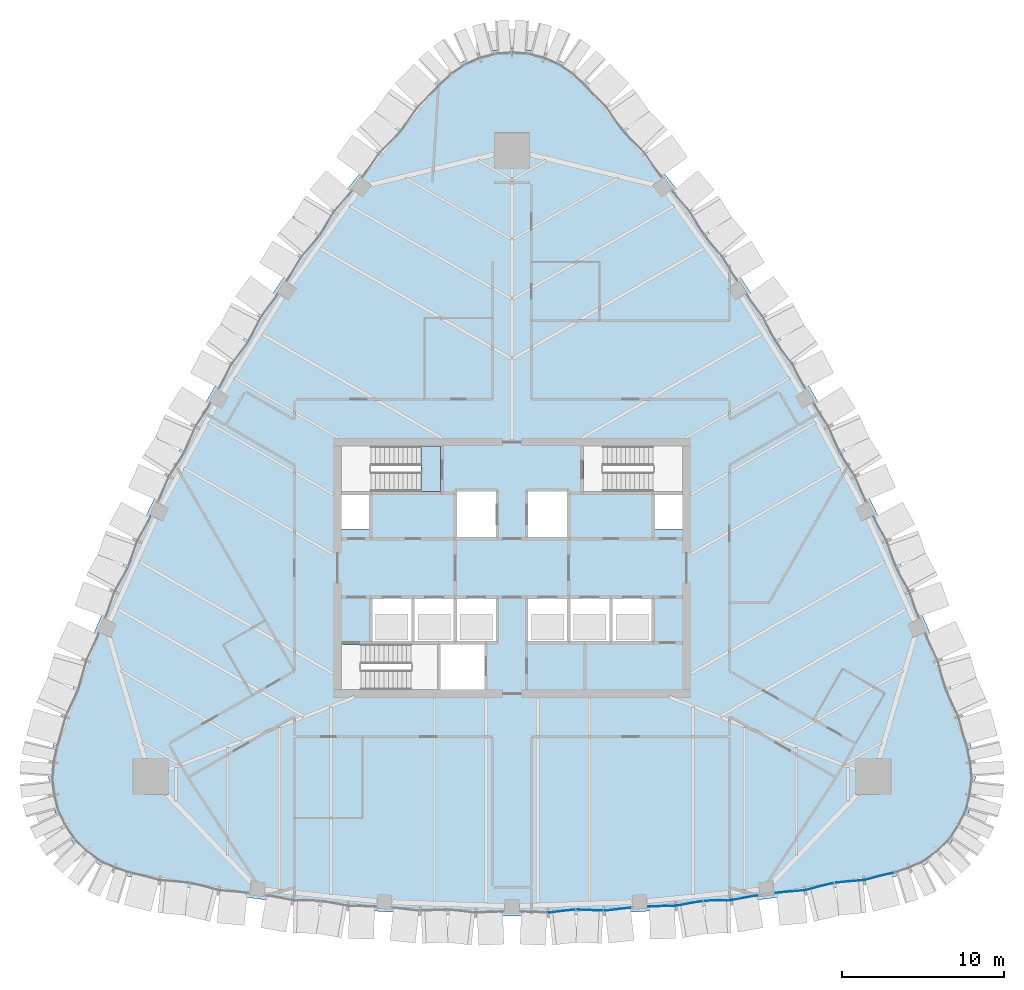
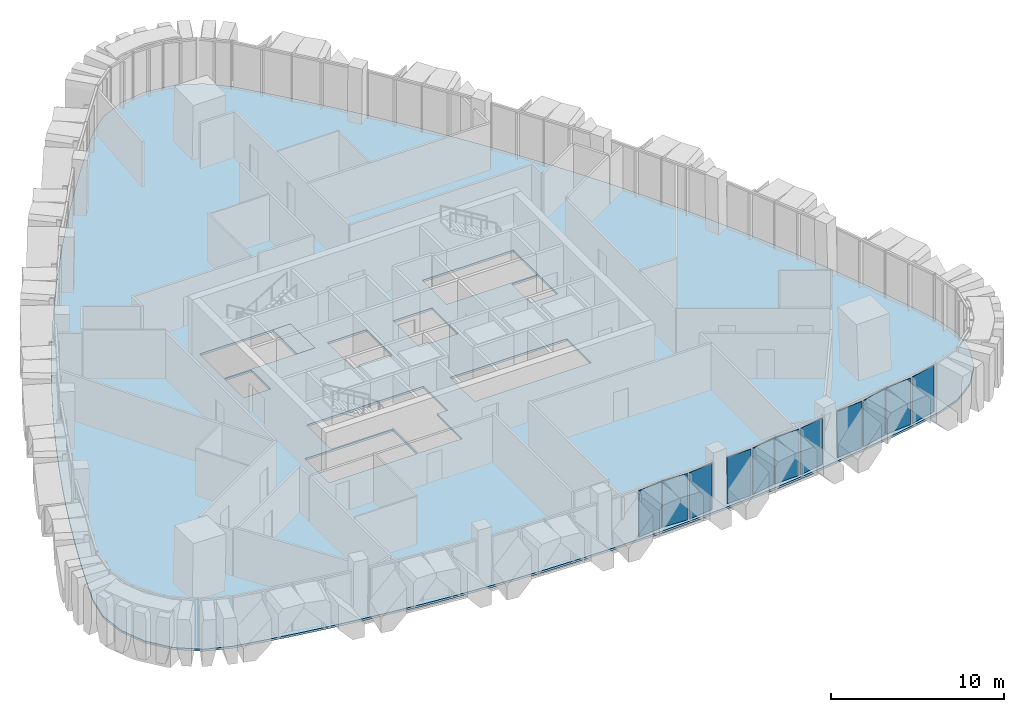
# One storey, part 9 of 19: 11 plates, 2 slabs, 3 elements without a shape of their own.
"""IFC4 building model written with IfcOpenShell, lengths in metres."""

from ifc_helpers import new_model, si_unit, direction, frame, origin, place, context, subcontext, project, spatial, polyline, outline, extrude, material, layer, layer_set, type_object, element, aggregate, save


model = new_model("IFC4")

# Units and contexts
model_context = context("Model", 3, precision=1e-05, world=origin(), true_north=direction((0.0, 1.0)))
body_context = subcontext(model_context, "Body", "Model", "MODEL_VIEW")
ifc_project = project(units=[si_unit("LENGTHUNIT", "METRE"), si_unit("AREAUNIT", "SQUARE_METRE"), si_unit("VOLUMEUNIT", "CUBIC_METRE"), si_unit("PLANEANGLEUNIT", "RADIAN"), si_unit("MASSUNIT", "GRAM", prefix="KILO")], contexts=[model_context])

# Site, building, storey
site_placement = place(None, origin())
site = spatial("IfcSite", under=ifc_project, at=site_placement, CompositionType="ELEMENT")
building_placement = place(site_placement, origin())
building = spatial("IfcBuilding", under=site, at=building_placement, Name="Sierra Prisma Convention Tower", CompositionType="ELEMENT")
storey_placement = place(building_placement, frame((0.0, 0.0, 231.0)))
storey = spatial("IfcBuildingStorey", under=building, at=storey_placement, Name="L51", CompositionType="ELEMENT", Elevation=231.0)

# Curtain wall, plates
ifc_material_1 = material(Name="Aluminium and glass curtain wall", Category="aluminium")
ifc_layer_1 = layer(ifc_material_1, 0.179931640625)
ifc_layer_set_1 = layer_set([ifc_layer_1], Name="CW-2 Faceted crystal curtain wall")
curtain_wall_type = type_object("IfcCurtainWallType", Name="CW-2 Faceted crystal curtain wall", PredefinedType="NOTDEFINED", material=ifc_layer_set_1)
curtain_wall_1_placement = place(storey_placement, origin())
curtain_wall_1 = element("IfcCurtainWall", 1, at=curtain_wall_1_placement, inside=storey, type_object=curtain_wall_type, Name="CW-2 S4 L51", PredefinedType="NOTDEFINED")
ifc_material_2 = material(Name="Tinted glass bronze-grey IGU", Category="glass")
ifc_layer_2 = layer(ifc_material_2, 0.028076171875)
ifc_layer_set_2 = layer_set([ifc_layer_2], Name="CW-2 crystal pane")
plate_type = type_object("IfcPlateType", Name="CW-2 crystal pane", PredefinedType="CURTAIN_PANEL", material=ifc_layer_set_2)
plate_1_placement = place(storey_placement, frame((3.90283203125, -21.059814453125, 0.0), z_axis=(0.112450015311, -0.993657382631, 0.0), x_axis=(-0.993657382631, -0.112450015311, 0.0)))
plate_1 = element("IfcPlate", 2, at=plate_1_placement, type_object=plate_type, Name="CW-2 pane S4.1.2", PredefinedType="CURTAIN_PANEL", context=body_context, shape_type="SweptSolid", body=[
    extrude(outline(polyline([(0.0, 0.0), (1.632669853294698, 0.0), (1.632669853294698, -3.280029296875), (0.0, -3.280029296875), (0.0, 0.0)])), origin(), (0.0, 0.0, -1.0), 0.028076171875),
])
plate_2_placement = place(storey_placement, frame((3.972900390625, -21.057373046875, 0.0), z_axis=(-0.044559796774, -0.999006718952, 0.0), x_axis=(0.999006718952, -0.044559796774, 0.0)))
plate_2 = element("IfcPlate", 3, at=plate_2_placement, type_object=plate_type, Name="CW-2 pane S4.2.1", PredefinedType="CURTAIN_PANEL", context=body_context, shape_type="SweptSolid", body=[
    extrude(outline(polyline([(0.0, 0.0), (1.6327252706927975, 0.0), (1.6327252706927975, 3.280029296875), (0.0, 3.280029296875), (0.0, 0.0)])), origin(), (0.0, 0.0, -1.0), 0.028076171875),
])
plate_3_placement = place(storey_placement, frame((7.35595703125, -20.942138671875, 0.0), z_axis=(0.112450015311, -0.993657382631, 0.0), x_axis=(-0.993657382631, -0.112450015311, 0.0)))
plate_3 = element("IfcPlate", 4, at=plate_3_placement, type_object=plate_type, Name="CW-2 pane S4.2.2", PredefinedType="CURTAIN_PANEL", context=body_context, shape_type="SweptSolid", body=[
    extrude(outline(polyline([(0.0, 0.0), (1.632669853294698, 0.0), (1.632669853294698, -3.280029296875), (0.0, -3.280029296875), (0.0, 0.0)])), origin(), (0.0, 0.0, -1.0), 0.028076171875),
])
aggregate(curtain_wall_1, [plate_1, plate_2, plate_3])

curtain_wall_2_placement = place(storey_placement, origin())
curtain_wall_2 = element("IfcCurtainWall", 5, at=curtain_wall_2_placement, inside=storey, type_object=curtain_wall_type, Name="CW-2 S5 L51", PredefinedType="NOTDEFINED")
plate_4_placement = place(storey_placement, frame((8.4052734375, -20.870849609375, 0.0), z_axis=(0.023591808643, -0.99972167455, 0.0), x_axis=(0.99972167455, 0.023591808643, 0.0)))
plate_4 = element("IfcPlate", 6, at=plate_4_placement, type_object=plate_type, Name="CW-2 pane S5.1.1", PredefinedType="CURTAIN_PANEL", context=body_context, shape_type="SweptSolid", body=[
    extrude(outline(polyline([(0.0, 0.0), (1.6247197789887098, 0.0), (1.6247197789887098, 3.280029296875), (0.0, 3.280029296875), (0.0, 0.0)])), origin(), (0.0, 0.0, -1.0), 0.028076171875),
])
plate_5_placement = place(storey_placement, frame((11.7568359375, -20.527099609375, 0.0), z_axis=(0.179850565175, -0.983693943361, 0.0), x_axis=(-0.983693943361, -0.179850565175, 0.0)))
plate_5 = element("IfcPlate", 7, at=plate_5_placement, type_object=plate_type, Name="CW-2 pane S5.1.2", PredefinedType="CURTAIN_PANEL", context=body_context, shape_type="SweptSolid", body=[
    extrude(outline(polyline([(0.0, 0.0), (1.6248841244391272, 0.0), (1.6248841244391272, -3.280029296875), (0.0, -3.280029296875), (0.0, 0.0)])), origin(), (0.0, 0.0, -1.0), 0.028076171875),
])
plate_6_placement = place(storey_placement, frame((11.826416015625, -20.52001953125, 0.0), z_axis=(0.023738424439, -0.999718203898, 0.0), x_axis=(0.999718203898, 0.023738424439, 0.0)))
plate_6 = element("IfcPlate", 8, at=plate_6_placement, type_object=plate_type, Name="CW-2 pane S5.2.1", PredefinedType="CURTAIN_PANEL", context=body_context, shape_type="SweptSolid", body=[
    extrude(outline(polyline([(0.0, 0.0), (1.6249696288571833, 0.0), (1.6249696288571833, 3.280029296875), (0.0, 3.280029296875), (0.0, 0.0)])), origin(), (0.0, 0.0, -1.0), 0.028076171875),
])
plate_7_placement = place(storey_placement, frame((15.17822265625, -20.17626953125, 0.0), z_axis=(0.179705168241, -0.983720515445, 0.0), x_axis=(-0.983720515445, -0.179705168241, 0.0)))
plate_7 = element("IfcPlate", 9, at=plate_7_placement, type_object=plate_type, Name="CW-2 pane S5.2.2", PredefinedType="CURTAIN_PANEL", context=body_context, shape_type="SweptSolid", body=[
    extrude(outline(polyline([(0.0, 0.0), (1.6248402333581484, 0.0), (1.6248402333581484, -3.280029296875001), (0.0, -3.280029296875001), (0.0, 0.0)])), origin(), (0.0, 0.0, -1.0), 0.028076171875),
])
aggregate(curtain_wall_2, [plate_4, plate_5, plate_6, plate_7])

curtain_wall_3_placement = place(storey_placement, origin())
curtain_wall_3 = element("IfcCurtainWall", 10, at=curtain_wall_3_placement, inside=storey, type_object=curtain_wall_type, Name="CW-2 S6 L51", PredefinedType="NOTDEFINED")
plate_8_placement = place(storey_placement, frame((16.251953125, -20.030517578125, 0.0), z_axis=(0.091731622897, -0.995783766367, 0.0), x_axis=(0.995783766367, 0.091731622897, 0.0)))
plate_8 = element("IfcPlate", 11, at=plate_8_placement, type_object=plate_type, Name="CW-2 pane S6.1.1", PredefinedType="CURTAIN_PANEL", context=body_context, shape_type="SweptSolid", body=[
    extrude(outline(polyline([(0.0, 0.0), (1.748583373529064, 0.0), (1.748583373529064, 3.280029296875), (0.0, 3.280029296875), (0.0, 0.0)])), origin(), (0.0, 0.0, -1.0), 0.028076171875),
])
plate_9_placement = place(storey_placement, frame((19.81591796875, -19.41748046875, 0.0), z_axis=(0.246245432536, -0.969207504591, 0.0), x_axis=(-0.969207504591, -0.246245432536, 0.0)))
plate_9 = element("IfcPlate", 12, at=plate_9_placement, type_object=plate_type, Name="CW-2 pane S6.1.2", PredefinedType="CURTAIN_PANEL", context=body_context, shape_type="SweptSolid", body=[
    extrude(outline(polyline([(0.0, 0.0), (1.7489220330487172, 0.0), (1.7489220330487172, -3.280029296875001), (0.0, -3.280029296875001), (0.0, 0.0)])), origin(), (0.0, 0.0, -1.0), 0.028076171875),
])
plate_10_placement = place(storey_placement, frame((19.884765625, -19.405517578125, 0.0), z_axis=(0.091718870915, -0.995784940998, 0.0), x_axis=(0.995784940998, 0.091718870915, 0.0)))
plate_10 = element("IfcPlate", 13, at=plate_10_placement, type_object=plate_type, Name="CW-2 pane S6.2.1", PredefinedType="CURTAIN_PANEL", context=body_context, shape_type="SweptSolid", body=[
    extrude(outline(polyline([(0.0, 0.0), (1.748826484943547, 0.0), (1.748826484943547, 3.280029296875), (0.0, 3.280029296875), (0.0, 0.0)])), origin(), (0.0, 0.0, -1.0), 0.028076171875),
])
plate_11_placement = place(storey_placement, frame((23.44873046875, -18.79248046875, 0.0), z_axis=(0.246278753029, -0.969199038282, 0.0), x_axis=(-0.969199038282, -0.246278753029, 0.0)))
plate_11 = element("IfcPlate", 14, at=plate_11_placement, type_object=plate_type, Name="CW-2 pane S6.2.2", PredefinedType="CURTAIN_PANEL", context=body_context, shape_type="SweptSolid", body=[
    extrude(outline(polyline([(0.0, 0.0), (1.7486854111562067, 0.0), (1.7486854111562067, -3.280029296875), (0.0, -3.280029296875), (0.0, 0.0)])), origin(), (0.0, 0.0, -1.0), 0.028076171875),
])
aggregate(curtain_wall_3, [plate_8, plate_9, plate_10, plate_11])

# Slabs
ifc_material_3 = material(Name="Concrete C35/45", Category="concrete")
ifc_layer_3 = layer(ifc_material_3, 0.14990234375)
ifc_layer_set_3 = layer_set([ifc_layer_3], Name="Composite floor slab 150")
slab_type_1 = type_object("IfcSlabType", Name="Composite floor slab 150", PredefinedType="FLOOR", material=ifc_layer_set_3)
slab_1_placement = place(storey_placement, frame((0.0, 0.0, -0.14990234375)))
element("IfcSlab", 15, at=slab_1_placement, inside=storey, type_object=slab_type_1, Name="Floor slab L51 floor", PredefinedType="FLOOR", context=body_context, shape_type="SweptSolid", body=[
    extrude(outline(polyline([(-23.568603515625, -19.025390625), (-21.628662109375, -19.410400390625), (-19.682373046875, -19.76220703125), (-17.73046875, -20.0810546875), (-15.7734375, -20.3662109375), (-13.811767578125, -20.618408203125), (-11.84619140625, -20.8369140625), (-9.876953125, -21.02197265625), (-7.905029296875, -21.17333984375), (-5.9306640625, -21.291259765625), (-3.954833984375, -21.37548828125), (-1.977783203125, -21.426025390625), (0.0, -21.44287109375), (1.977783203125, -21.426025390625), (3.954833984375, -21.37548828125), (5.9306640625, -21.291259765625), (7.905029296875, -21.17333984375), (9.876953125, -21.02197265625), (11.84619140625, -20.8369140625), (13.811767578125, -20.618408203125), (15.7734375, -20.3662109375), (17.73046875, -20.0810546875), (19.682373046875, -19.76220703125), (21.628662109375, -19.410400390625), (23.568603515625, -19.025390625), (25.224853515625, -18.430419921875), (26.6513671875, -17.3994140625), (27.736083984375, -16.013427734375), (28.39404296875, -14.381103515625), (28.573486328125, -12.630126953125), (28.2607421875, -10.898193359375), (27.6240234375, -9.025634765625), (26.955810546875, -7.164306640625), (26.255859375, -5.314453125), (25.5244140625, -3.47705078125), (24.761962890625, -1.652099609375), (23.96826171875, 0.159423828125), (23.14404296875, 1.957275390625), (22.289306640625, 3.74072265625), (21.404052734375, 5.509521484375), (20.489013671875, 7.2626953125), (19.54443359375, 9.000244140625), (18.570068359375, 10.721435546875), (17.566650390625, 12.42578125), (16.5341796875, 14.11279296875), (15.473388671875, 15.78173828125), (14.38427734375, 17.4326171875), (13.26708984375, 19.064697265625), (12.122314453125, 20.677490234375), (10.9501953125, 22.2705078125), (9.7509765625, 23.84326171875), (8.525390625, 25.3955078125), (7.2734375, 26.926513671875), (5.99560546875, 28.43603515625), (4.692138671875, 29.923583984375), (3.3486328125, 31.060546875), (1.74267578125, 31.7802734375), (0.0, 32.02685546875), (-1.74267578125, 31.7802734375), (-3.3486328125, 31.060546875), (-4.692138671875, 29.923583984375), (-5.99560546875, 28.43603515625), (-7.2734375, 26.926513671875), (-8.525390625, 25.3955078125), (-9.7509765625, 23.84326171875), (-10.9501953125, 22.2705078125), (-12.122314453125, 20.677490234375), (-13.26708984375, 19.064697265625), (-14.38427734375, 17.4326171875), (-15.473388671875, 15.78173828125), (-16.5341796875, 14.11279296875), (-17.566650390625, 12.42578125), (-18.570068359375, 10.721435546875), (-19.54443359375, 9.000244140625), (-20.489013671875, 7.2626953125), (-21.404052734375, 5.509521484375), (-22.289306640625, 3.74072265625), (-23.14404296875, 1.957275390625), (-23.96826171875, 0.159423828125), (-24.761962890625, -1.652099609375), (-25.5244140625, -3.47705078125), (-26.255859375, -5.314453125), (-26.955810546875, -7.164306640625), (-27.6240234375, -9.025634765625), (-28.2607421875, -10.898193359375), (-28.573486328125, -12.630126953125), (-28.39404296875, -14.381103515625), (-27.736083984375, -16.013427734375), (-26.6513671875, -17.3994140625), (-25.224853515625, -18.430419921875), (-23.568603515625, -19.025390625)]), holes=[polyline([(-4.60009765625, -4.699951171875), (-4.60009765625, -7.5), (-10.5, -7.5), (-10.5, -4.699951171875), (-4.60009765625, -4.699951171875)]), polyline([(-4.5, -7.5), (-4.5, -4.60009765625), (-6.10009765625, -4.60009765625), (-8.699951171875, -4.60009765625), (-8.699951171875, -1.800048828125), (-6.10009765625, -1.800048828125), (-3.5, -1.800048828125), (-0.89990234375, -1.800048828125), (-0.89990234375, -4.60009765625), (-1.60009765625, -4.60009765625), (-1.60009765625, -7.5), (-4.5, -7.5)]), polyline([(-8.699951171875, 2.39990234375), (-10.5, 2.39990234375), (-10.5, 4.60009765625), (-8.699951171875, 4.60009765625), (-8.699951171875, 2.39990234375)]), polyline([(-4.39990234375, 4.699951171875), (-10.5, 4.699951171875), (-10.5, 7.5), (-4.39990234375, 7.5), (-4.39990234375, 4.699951171875)]), polyline([(3.5, -1.800048828125), (6.10009765625, -1.800048828125), (8.699951171875, -1.800048828125), (8.699951171875, -4.60009765625), (6.10009765625, -4.60009765625), (3.5, -4.60009765625), (0.89990234375, -4.60009765625), (0.89990234375, -1.800048828125), (3.5, -1.800048828125)]), polyline([(-0.89990234375, 1.800048828125), (-3.5, 1.800048828125), (-3.5, 4.800048828125), (-0.89990234375, 4.800048828125), (-0.89990234375, 1.800048828125)]), polyline([(3.5, 1.800048828125), (0.89990234375, 1.800048828125), (0.89990234375, 4.800048828125), (3.5, 4.800048828125), (3.5, 1.800048828125)]), polyline([(10.5, 2.39990234375), (8.699951171875, 2.39990234375), (8.699951171875, 4.60009765625), (10.5, 4.60009765625), (10.5, 2.39990234375)]), polyline([(10.5, 4.699951171875), (4.39990234375, 4.699951171875), (4.39990234375, 7.5), (10.5, 7.5), (10.5, 4.699951171875)])]), origin(), (0.0, 0.0, 1.0), 0.14990234375),
])
ifc_material_4 = material(Name="Concrete C35/45", Category="concrete")
ifc_layer_4 = layer(ifc_material_4, 0.199951171875)
ifc_layer_set_4 = layer_set([ifc_layer_4], Name="Stair landing slab")
slab_type_2 = type_object("IfcSlabType", Name="Stair landing slab", PredefinedType="LANDING", material=ifc_layer_set_4)
slab_2_placement = place(storey_placement, frame((0.0, 0.0, -0.199951171875)))
element("IfcSlab", 16, at=slab_2_placement, inside=storey, type_object=slab_type_2, Name="S3 floor landing L51", PredefinedType="LANDING", context=body_context, shape_type="SweptSolid", body=[
    extrude(outline(polyline([(-4.39990234375, 7.5), (-5.60205078125, 7.5), (-5.60205078125, 4.699951171875), (-4.39990234375, 4.699951171875), (-4.39990234375, 7.5)])), origin(), (0.0, 0.0, 1.0), 0.199951171875),
])

save(model, "model.ifc")
